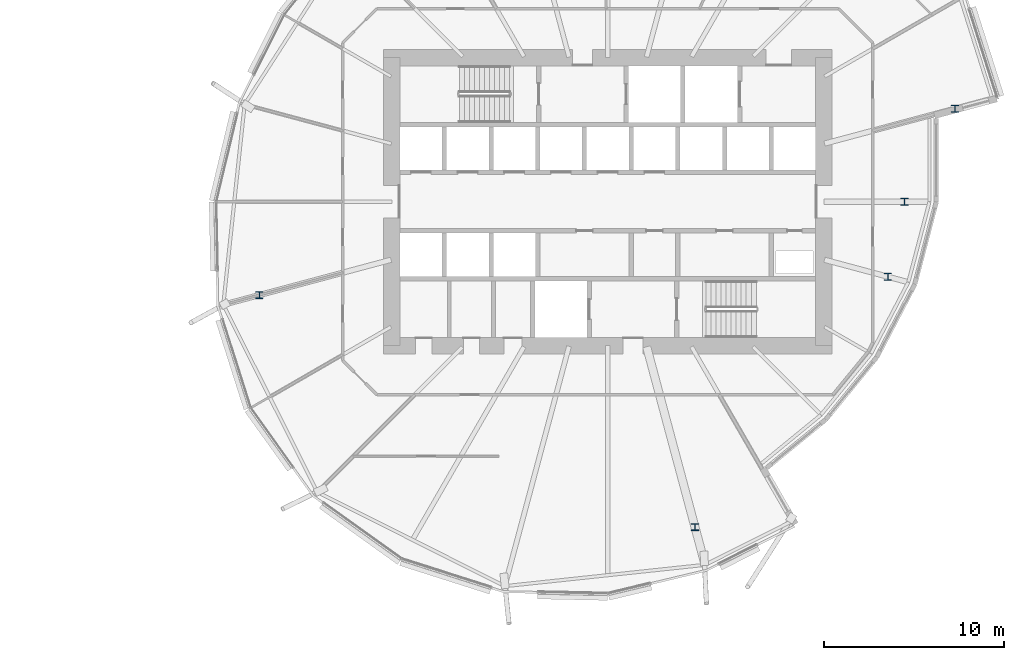
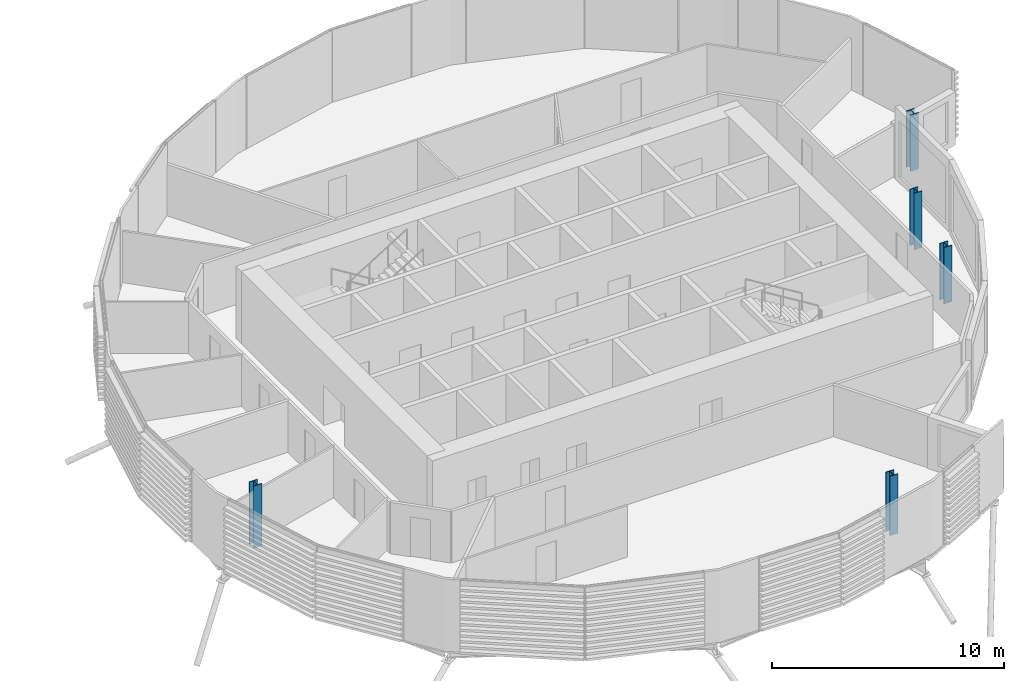
# One storey, part 2 of 38: 5 columns.
"""IFC4 building model written with IfcOpenShell, lengths in metres."""

from ifc_helpers import new_model, si_unit, direction, frame, origin, origin_2d, place, context, subcontext, project, spatial, i_section, extrude, material, material_profile, profile_set, type_object, element, save


model = new_model("IFC4")

# Units and contexts
model_context = context("Model", 3, precision=1e-05, world=origin(), true_north=direction((0.0, 1.0)))
body_context = subcontext(model_context, "Body", "Model", "MODEL_VIEW")
ifc_project = project(units=[si_unit("LENGTHUNIT", "METRE"), si_unit("AREAUNIT", "SQUARE_METRE"), si_unit("VOLUMEUNIT", "CUBIC_METRE"), si_unit("PLANEANGLEUNIT", "RADIAN"), si_unit("MASSUNIT", "GRAM", prefix="KILO")], contexts=[model_context])

# Site, building, storey
site_placement = place(None, origin())
site = spatial("IfcSite", under=ifc_project, at=site_placement, CompositionType="ELEMENT")
building_placement = place(site_placement, origin())
building = spatial("IfcBuilding", under=site, at=building_placement, Name="Rimbun Link Towers", CompositionType="ELEMENT")
storey_placement = place(building_placement, frame((0.0, 0.0, 56.60009765625)))
storey = spatial("IfcBuildingStorey", under=building, at=storey_placement, Name="L13", CompositionType="ELEMENT", Elevation=56.60009765625)

# Columns
ifc_material = material(Name="Steel S355J2", Category="steel")
ifc_material_profile = material_profile(ifc_material, i_section(OverallWidth=0.39892578125, OverallDepth=0.3935546875, WebThickness=0.022705078125, FlangeThickness=0.03662109375, at=origin_2d()), Name="UC 356x406x287")
ifc_profile_set = profile_set([ifc_material_profile], Name="Steel S355J2")
column_type = type_object("IfcColumnType", Name="UC 356x406x287", PredefinedType="COLUMN", material=ifc_profile_set)
column_1_placement = place(storey_placement, frame((12.391845703125, -5.18701171875, -0.16015625), z_axis=(0.0, 0.0, 1.0), x_axis=(1.0, 0.0, 0.0)))
element("IfcColumn", 1, at=column_1_placement, inside=storey, type_object=column_type, Name="Crease post T2 L13 10", PredefinedType="COLUMN", context=body_context, shape_type="SweptSolid", body=[
    extrude(i_section(OverallWidth=0.39892578125, OverallDepth=0.3935546875, WebThickness=0.022705078125, FlangeThickness=0.03662109375, at=origin_2d()), origin(), (0.0, 0.0, 1.0), 3.266845703125),
])
column_2_placement = place(storey_placement, frame((36.593994140625, -18.078125, -0.16015625), z_axis=(0.0, 0.0, 1.0), x_axis=(1.0, 0.0, 0.0)))
element("IfcColumn", 2, at=column_2_placement, inside=storey, type_object=column_type, Name="Crease post T2 L13 16", PredefinedType="COLUMN", context=body_context, shape_type="SweptSolid", body=[
    extrude(i_section(OverallWidth=0.39892578125, OverallDepth=0.3935546875, WebThickness=0.022705078125, FlangeThickness=0.03662109375, at=origin_2d()), origin(), (0.0, 0.0, 1.0), 3.116455078125),
])
for number, where, z_axis, x_axis, name in (
    (3, (47.310302734375, -4.169189453125, -0.16015625), (0.0, 0.0, 1.0), (1.0, 0.0, 0.0), "Crease post T2 L13 20"),
    (4, (48.235107421875, 0.0, -0.16015625), (0.0, 0.0, 1.0), (1.0, 0.0, 0.0), "Crease post T2 L13 21"),
    (5, (51.040771484375, 5.1689453125, -0.16015625), (0.0, 0.0, 1.0), (1.0, 0.0, 0.0), "Crease post T2 L13 22"),
):
    element("IfcColumn", number, at=place(storey_placement, frame(where, z_axis=z_axis, x_axis=x_axis)), inside=storey, type_object=column_type, Name=name, PredefinedType="COLUMN", context=body_context, shape_type="SweptSolid", body=[
        extrude(i_section(OverallWidth=0.39892578125, OverallDepth=0.3935546875, WebThickness=0.022705078125, FlangeThickness=0.03662109375, at=origin_2d()), origin(), (0.0, 0.0, 1.0), 2.95947265625),
    ])

save(model, "model.ifc")
